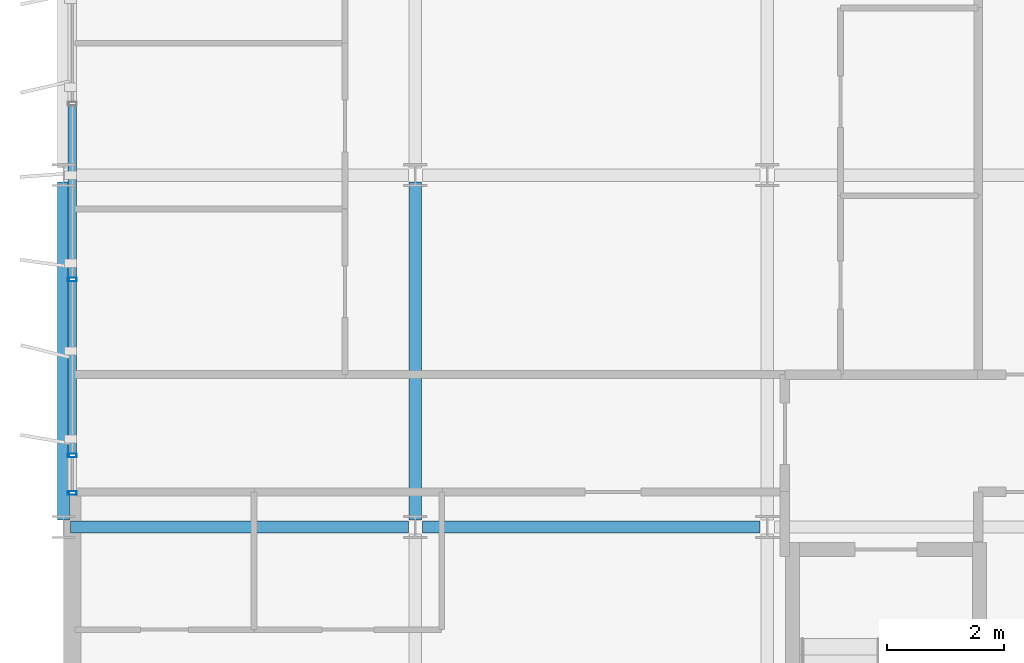
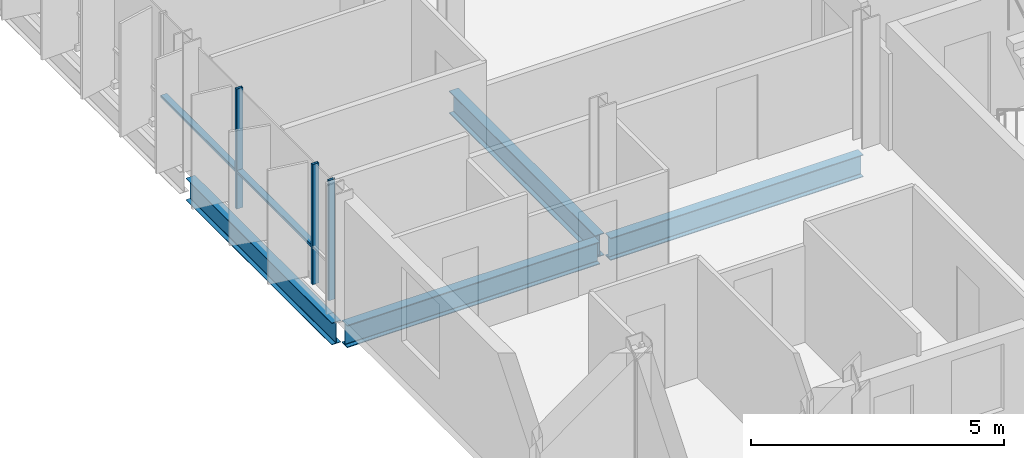
# One storey, part 3 of 38: 5 members, 4 beams, 1 element without a shape of its own.
"""IFC4 building model written with IfcOpenShell, lengths in metres."""

from ifc_helpers import new_model, si_unit, direction, frame, origin, origin_2d, place, context, subcontext, project, spatial, hollow_rectangle, i_section, extrude, material, layer, layer_set, material_profile, profile_set, type_object, element, aggregate, save


model = new_model("IFC4")

# Units and contexts
model_context = context("Model", 3, precision=1e-05, world=origin(), true_north=direction((0.0, 1.0)))
body_context = subcontext(model_context, "Body", "Model", "MODEL_VIEW")
ifc_project = project(units=[si_unit("LENGTHUNIT", "METRE"), si_unit("AREAUNIT", "SQUARE_METRE"), si_unit("VOLUMEUNIT", "CUBIC_METRE"), si_unit("PLANEANGLEUNIT", "RADIAN"), si_unit("MASSUNIT", "GRAM", prefix="KILO")], contexts=[model_context])

# Site, building, storey
site_placement = place(None, origin())
site = spatial("IfcSite", under=ifc_project, at=site_placement, CompositionType="ELEMENT")
building_placement = place(site_placement, origin())
building = spatial("IfcBuilding", under=site, at=building_placement, Name="Brevholm Reach", CompositionType="ELEMENT")
storey_placement = place(building_placement, frame((0.0, 0.0, 186.300048828125)))
storey = spatial("IfcBuildingStorey", under=building, at=storey_placement, Name="L56", CompositionType="ELEMENT", Elevation=186.300048828125)

# Beams
ifc_material_1 = material(Name="Structural Steel S355J2", Category="steel")
ifc_material_profile_1 = material_profile(ifc_material_1, i_section(OverallWidth=0.209228515625, OverallDepth=0.533203125, WebThickness=0.010009765625, FlangeThickness=0.015625, FilletRadius=0.0126953125, at=origin_2d()), Name="UKB 533x210x92")
ifc_profile_set_1 = profile_set([ifc_material_profile_1], Name="Structural Steel S355J2")
beam_type_1 = type_object("IfcBeamType", Name="BM-SP533", PredefinedType="SPANDREL", material=ifc_profile_set_1)
beam_placement = place(storey_placement, frame((0.0, 10.1201171875, -0.4765625), z_axis=(0.0, 1.0, 0.0), x_axis=(-1.0, 0.0, 0.0)))
element("IfcBeam", 1, at=beam_placement, inside=storey, type_object=beam_type_1, Name="L56 SP-02 Framing Beam", PredefinedType="SPANDREL", context=body_context, shape_type="SweptSolid", body=[
    extrude(i_section(OverallWidth=0.209228515625, OverallDepth=0.533203125, WebThickness=0.010009765625, FlangeThickness=0.015625, FilletRadius=0.0126953125, at=origin_2d()), origin(), (0.0, 0.0, 1.0), 5.759765625),
])
ifc_material_2 = material(Name="Structural Steel S355J2", Category="steel")
ifc_material_profile_2 = material_profile(ifc_material_2, i_section(OverallWidth=0.210693359375, OverallDepth=0.53955078125, WebThickness=0.01171875, FlangeThickness=0.018798828125, FilletRadius=0.0126953125, at=origin_2d()), Name="UKB 533x210x109")
ifc_profile_set_2 = profile_set([ifc_material_profile_2], Name="Structural Steel S355J2")
beam_type_2 = type_object("IfcBeamType", Name="BM-SP539", PredefinedType="SPANDREL", material=ifc_profile_set_2)
for number, where, z_axis, x_axis, name in (
    (2, (0.1201171875, 10.0, -0.479736328125), (1.0, 0.0, 0.0), (0.0, 1.0, 0.0), "L56 SP-01B Framing Beam"),
    (3, (6.1201171875, 10.0, -0.479736328125), (1.0, 0.0, 0.0), (0.0, 1.0, 0.0), "L56 SP-01B Framing Beam"),
    (4, (6.0, 10.1201171875, -0.479736328125), (0.0, 1.0, 0.0), (-1.0, 0.0, 0.0), "L56 SP-01B Framing Beam"),
):
    element("IfcBeam", number, at=place(storey_placement, frame(where, z_axis=z_axis, x_axis=x_axis)), inside=storey, type_object=beam_type_2, Name=name, PredefinedType="SPANDREL", context=body_context, shape_type="SweptSolid", body=[
        extrude(i_section(OverallWidth=0.210693359375, OverallDepth=0.53955078125, WebThickness=0.01171875, FlangeThickness=0.018798828125, FilletRadius=0.0126953125, at=origin_2d()), origin(), (0.0, 0.0, 1.0), 5.759765625),
    ])

# Curtain wall, members
ifc_material_3 = material(Name="Dark Anodised Aluminium 6063-T6 and Solar-Control Glass", Category="aluminium")
ifc_layer = layer(ifc_material_3, 0.14990234375)
ifc_layer_set = layer_set([ifc_layer], Name="Dark Anodised Aluminium 6063-T6 and Solar-Control Glass")
curtain_wall_type = type_object("IfcCurtainWallType", Name="CW-01", PredefinedType="NOTDEFINED", material=ifc_layer_set)
curtain_wall_placement = place(storey_placement, origin())
curtain_wall = element("IfcCurtainWall", 5, at=curtain_wall_placement, inside=storey, type_object=curtain_wall_type, Name="L56 Curtain Wall CW-01", PredefinedType="NOTDEFINED")
ifc_material_4 = material(Name="Dark Anodised Aluminium 6063-T6", Category="aluminium")
ifc_material_profile_3 = material_profile(ifc_material_4, hollow_rectangle(XDim=0.06494140625, YDim=0.14990234375, WallThickness=0.0048828125, InnerFilletRadius=0.0048828125, OuterFilletRadius=0.010009765625, at=origin_2d()), Name="RHS 150x65x5")
ifc_profile_set_3 = profile_set([ifc_material_profile_3], Name="Dark Anodised Aluminium 6063-T6")
member_type_1 = type_object("IfcMemberType", Name="CWM-150", PredefinedType="MULLION", material=ifc_profile_set_3)
member_1_placement = place(storey_placement, frame((0.14990234375, 14.219970703125, 0.0), z_axis=(0.0, 0.0, 1.0), x_axis=(0.0, -1.0, 0.0)))
member_1 = element("IfcMember", 6, at=member_1_placement, type_object=member_type_1, Name="CM-150 Mullion 4", PredefinedType="MULLION", context=body_context, shape_type="SweptSolid", body=[
    extrude(hollow_rectangle(XDim=0.06494140625, YDim=0.14990234375, WallThickness=0.0048828125, InnerFilletRadius=0.0048828125, OuterFilletRadius=0.010009765625, at=origin_2d()), origin(), (0.0, 0.0, 1.0), 2.889892578125),
])
member_2_placement = place(storey_placement, frame((0.14990234375, 11.219970703125, 0.0), z_axis=(0.0, 0.0, 1.0), x_axis=(0.0, -1.0, 0.0)))
member_2 = element("IfcMember", 7, at=member_2_placement, type_object=member_type_1, Name="CM-150 Mullion 5", PredefinedType="MULLION", context=body_context, shape_type="SweptSolid", body=[
    extrude(hollow_rectangle(XDim=0.06494140625, YDim=0.14990234375, WallThickness=0.0048828125, InnerFilletRadius=0.0048828125, OuterFilletRadius=0.010009765625, at=origin_2d()), origin(), (0.0, 0.0, 1.0), 2.889892578125),
])
member_3_placement = place(storey_placement, frame((0.14990234375, 10.58251953125, 0.0), z_axis=(0.0, 0.0, 1.0), x_axis=(0.0, -1.0, 0.0)))
member_3 = element("IfcMember", 8, at=member_3_placement, type_object=member_type_1, Name="CM-150 Mullion 6", PredefinedType="MULLION", context=body_context, shape_type="SweptSolid", body=[
    extrude(hollow_rectangle(XDim=0.06494140625, YDim=0.14990234375, WallThickness=0.0048828125, InnerFilletRadius=0.0048828125, OuterFilletRadius=0.010009765625, at=origin_2d()), origin(), (0.0, 0.0, 1.0), 2.889892578125),
])
ifc_material_5 = material(Name="Dark Anodised Aluminium 6063-T6", Category="aluminium")
ifc_material_profile_4 = material_profile(ifc_material_5, hollow_rectangle(XDim=0.06494140625, YDim=0.14990234375, WallThickness=0.0048828125, InnerFilletRadius=0.0048828125, OuterFilletRadius=0.010009765625, at=origin_2d()), Name="RHS 150x65x5")
ifc_profile_set_4 = profile_set([ifc_material_profile_4], Name="Dark Anodised Aluminium 6063-T6")
member_type_2 = type_object("IfcMemberType", Name="CWT-150", PredefinedType="NOTDEFINED", material=ifc_profile_set_4)
member_4_placement = place(storey_placement, frame((0.14990234375, 17.1875, 0.89990234375), z_axis=(0.0, -1.0, 0.0), x_axis=(0.0, 0.0, 1.0)))
member_4 = element("IfcMember", 9, at=member_4_placement, type_object=member_type_2, Name="CT-150 Transom 3.1", ObjectType="TRANSOM", PredefinedType="USERDEFINED", context=body_context, shape_type="SweptSolid", body=[
    extrude(hollow_rectangle(XDim=0.06494140625, YDim=0.14990234375, WallThickness=0.0048828125, InnerFilletRadius=0.0048828125, OuterFilletRadius=0.010009765625, at=origin_2d()), origin(), (0.0, 0.0, 1.0), 2.93505859375),
])
member_5_placement = place(storey_placement, frame((0.14990234375, 14.1875, 0.89990234375), z_axis=(0.0, -1.0, 0.0), x_axis=(0.0, 0.0, 1.0)))
member_5 = element("IfcMember", 10, at=member_5_placement, type_object=member_type_2, Name="CT-150 Transom 4.1", ObjectType="TRANSOM", PredefinedType="USERDEFINED", context=body_context, shape_type="SweptSolid", body=[
    extrude(hollow_rectangle(XDim=0.06494140625, YDim=0.14990234375, WallThickness=0.0048828125, InnerFilletRadius=0.0048828125, OuterFilletRadius=0.010009765625, at=origin_2d()), origin(), (0.0, 0.0, 1.0), 2.93505859375),
])
aggregate(curtain_wall, [member_1, member_2, member_3, member_4, member_5])

save(model, "model.ifc")
